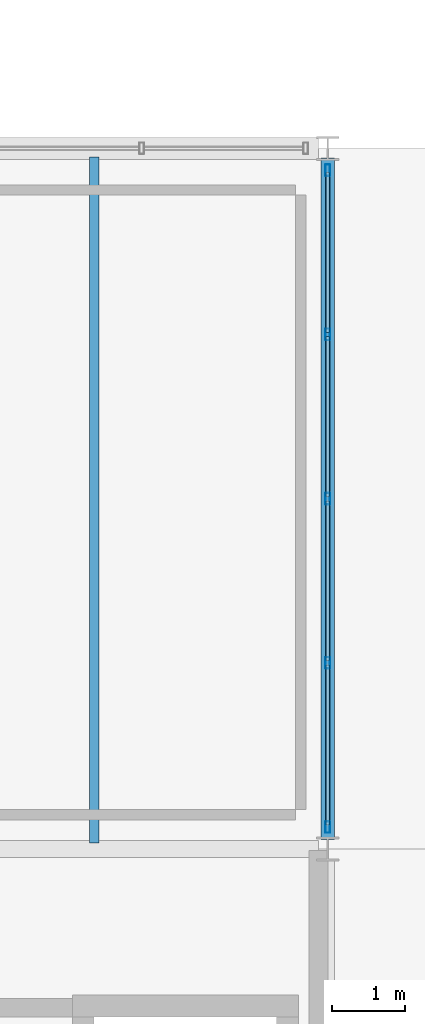
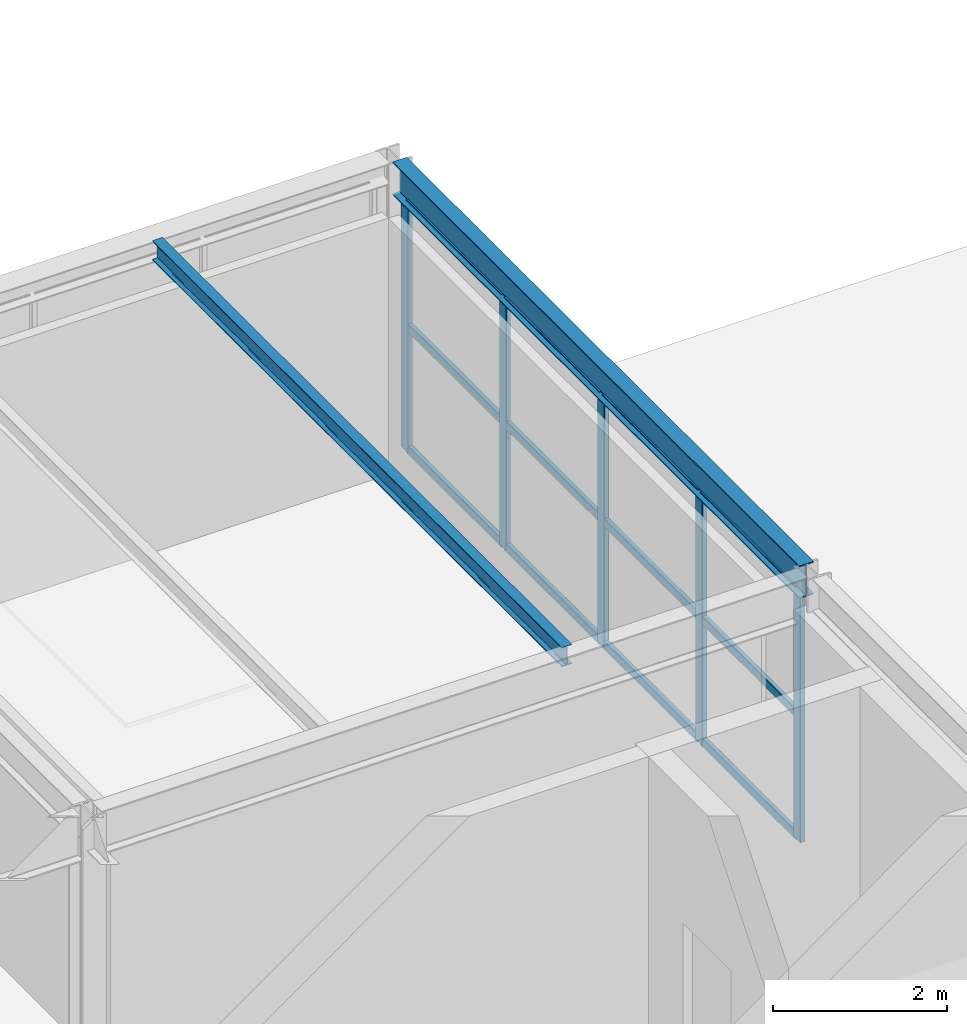
# One storey, part 30 of 50: 17 members, 2 beams, 1 element without a shape of its own.
"""IFC4 building model written with IfcOpenShell, lengths in metres."""

from ifc_helpers import new_model, si_unit, direction, frame, origin, origin_2d, place, context, subcontext, project, spatial, hollow_rectangle, i_section, extrude, material, material_profile, profile_set, type_object, element, aggregate, save


model = new_model("IFC4")

# Units and contexts
model_context = context("Model", 3, precision=1e-05, world=origin(), true_north=direction((0.0, 1.0)))
body_context = subcontext(model_context, "Body", "Model", "MODEL_VIEW")
ifc_project = project(units=[si_unit("LENGTHUNIT", "METRE"), si_unit("AREAUNIT", "SQUARE_METRE"), si_unit("VOLUMEUNIT", "CUBIC_METRE"), si_unit("PLANEANGLEUNIT", "RADIAN"), si_unit("MASSUNIT", "GRAM", prefix="KILO")], contexts=[model_context])

# Site, building, storey
site_placement = place(None, origin())
site = spatial("IfcSite", under=ifc_project, at=site_placement, CompositionType="ELEMENT")
building_placement = place(site_placement, origin())
building = spatial("IfcBuilding", under=site, at=building_placement, Name="Coralgate Yard Interchange", CompositionType="ELEMENT")
storey_placement = place(building_placement, frame((0.0, 0.0, 14.699951171875)))
storey = spatial("IfcBuildingStorey", under=building, at=storey_placement, Name="L03", CompositionType="ELEMENT", Elevation=14.699951171875)

# Beams
ifc_material_1 = material(Name="Structural steel S355J2", Category="steel")
ifc_material_profile_1 = material_profile(ifc_material_1, i_section(OverallWidth=0.1904296875, OverallDepth=0.45703125, WebThickness=0.009033203125, FlangeThickness=0.014404296875, FilletRadius=0.01025390625, at=origin_2d()), Name="UB 457x191x74")
ifc_profile_set_1 = profile_set([ifc_material_profile_1], Name="Structural steel S355J2")
beam_type_1 = type_object("IfcBeamType", Name="BM-SB-2", PredefinedType="BEAM", material=ifc_profile_set_1)
beam_1_placement = place(storey_placement, frame((19.199951171875, 38.533447265625, 3.721435546875), z_axis=(0.0, 1.0, 0.0), x_axis=(-1.0, 0.0, 0.0)))
element("IfcBeam", 1, at=beam_1_placement, inside=storey, type_object=beam_type_1, Name="L03 primary grid girder X2 Y4-5", PredefinedType="BEAM", context=body_context, shape_type="SweptSolid", body=[
    extrude(i_section(OverallWidth=0.1904296875, OverallDepth=0.45703125, WebThickness=0.009033203125, FlangeThickness=0.014404296875, FilletRadius=0.01025390625, at=origin_2d()), origin(), (0.0, 0.0, 1.0), 9.3330078125),
])
ifc_material_profile_2 = material_profile(ifc_material_1, i_section(OverallWidth=0.135009765625, OverallDepth=0.27001953125, WebThickness=0.006591796875, FlangeThickness=0.01025390625, FilletRadius=0.014892578125, at=origin_2d()), Name="IPE 270")
ifc_profile_set_2 = profile_set([ifc_material_profile_2], Name="Structural steel S355J2")
beam_type_2 = type_object("IfcBeamType", Name="BM-SJ-3", PredefinedType="JOIST", material=ifc_profile_set_2)
beam_2_placement = place(storey_placement, frame((16.0, 38.484130859375, 3.81494140625), z_axis=(0.0, 1.0, 0.0), x_axis=(-1.0, 0.0, 0.0)))
element("IfcBeam", 2, at=beam_2_placement, inside=storey, type_object=beam_type_2, Name="L03 composite floor joist 1-4-2", PredefinedType="JOIST", context=body_context, shape_type="SweptSolid", body=[
    extrude(i_section(OverallWidth=0.135009765625, OverallDepth=0.27001953125, WebThickness=0.006591796875, FlangeThickness=0.01025390625, FilletRadius=0.014892578125, at=origin_2d()), origin(), (0.0, 0.0, 1.0), 9.395751953125),
])

# Curtain wall, members
ifc_material_2 = material(Name="Anodised coastal aluminium and solar-control low-E glass", Category="aluminium")
curtain_wall_type = type_object("IfcCurtainWallType", Name="CW-CW-L03-A", PredefinedType="NOTDEFINED", material=ifc_material_2)
curtain_wall_placement = place(storey_placement, origin())
curtain_wall = element("IfcCurtainWall", 3, at=curtain_wall_placement, inside=storey, type_object=curtain_wall_type, Name="L03 unitised curtain wall CW-L03-E-01-04", PredefinedType="NOTDEFINED")
ifc_material_3 = material(Name="Anodised coastal aluminium 6063-T6", Category="aluminium")
ifc_material_profile_3 = material_profile(ifc_material_3, hollow_rectangle(XDim=0.06494140625, YDim=0.159912109375, WallThickness=0.00390625, InnerFilletRadius=0.00390625, OuterFilletRadius=0.008056640625, at=origin_2d()), Name="ALU 65x160x4")
ifc_profile_set_3 = profile_set([ifc_material_profile_3], Name="Anodised coastal aluminium 6063-T6")
member_type_1 = type_object("IfcMemberType", Name="MB-MUL-160", PredefinedType="MULLION", material=ifc_profile_set_3)
member_1_placement = place(storey_placement, frame((19.199951171875, 47.699951171875, 0.0), z_axis=(0.0, 0.0, 1.0), x_axis=(1.0, 0.0, 0.0)))
member_1 = element("IfcMember", 4, at=member_1_placement, type_object=member_type_1, Name="CW-L03-E-01-04 vertical mullion 1", PredefinedType="MULLION", context=body_context, shape_type="SweptSolid", body=[
    extrude(hollow_rectangle(XDim=0.06494140625, YDim=0.159912109375, WallThickness=0.00390625, InnerFilletRadius=0.00390625, OuterFilletRadius=0.008056640625, at=origin_2d()), origin(), (0.0, 0.0, 1.0), 3.4931640625),
])
member_2_placement = place(storey_placement, frame((19.199951171875, 45.449951171875, 0.0), z_axis=(0.0, 0.0, 1.0), x_axis=(1.0, 0.0, 0.0)))
member_2 = element("IfcMember", 5, at=member_2_placement, type_object=member_type_1, Name="CW-L03-E-01-04 vertical mullion 2", PredefinedType="MULLION", context=body_context, shape_type="SweptSolid", body=[
    extrude(hollow_rectangle(XDim=0.06494140625, YDim=0.159912109375, WallThickness=0.00390625, InnerFilletRadius=0.00390625, OuterFilletRadius=0.008056640625, at=origin_2d()), origin(), (0.0, 0.0, 1.0), 3.4931640625),
])
member_3_placement = place(storey_placement, frame((19.199951171875, 43.199951171875, 0.0), z_axis=(0.0, 0.0, 1.0), x_axis=(1.0, 0.0, 0.0)))
member_3 = element("IfcMember", 6, at=member_3_placement, type_object=member_type_1, Name="CW-L03-E-01-04 vertical mullion 3", PredefinedType="MULLION", context=body_context, shape_type="SweptSolid", body=[
    extrude(hollow_rectangle(XDim=0.06494140625, YDim=0.159912109375, WallThickness=0.00390625, InnerFilletRadius=0.00390625, OuterFilletRadius=0.008056640625, at=origin_2d()), origin(), (0.0, 0.0, 1.0), 3.4931640625),
])
member_4_placement = place(storey_placement, frame((19.199951171875, 40.949951171875, 0.0), z_axis=(0.0, 0.0, 1.0), x_axis=(1.0, 0.0, 0.0)))
member_4 = element("IfcMember", 7, at=member_4_placement, type_object=member_type_1, Name="CW-L03-E-01-04 vertical mullion 4", PredefinedType="MULLION", context=body_context, shape_type="SweptSolid", body=[
    extrude(hollow_rectangle(XDim=0.06494140625, YDim=0.159912109375, WallThickness=0.00390625, InnerFilletRadius=0.00390625, OuterFilletRadius=0.008056640625, at=origin_2d()), origin(), (0.0, 0.0, 1.0), 3.4931640625),
])
member_5_placement = place(storey_placement, frame((19.199951171875, 38.699951171875, 0.0), z_axis=(0.0, 0.0, 1.0), x_axis=(1.0, 0.0, 0.0)))
member_5 = element("IfcMember", 8, at=member_5_placement, type_object=member_type_1, Name="CW-L03-E-01-04 vertical mullion 5", PredefinedType="MULLION", context=body_context, shape_type="SweptSolid", body=[
    extrude(hollow_rectangle(XDim=0.06494140625, YDim=0.159912109375, WallThickness=0.00390625, InnerFilletRadius=0.00390625, OuterFilletRadius=0.008056640625, at=origin_2d()), origin(), (0.0, 0.0, 1.0), 3.4931640625),
])
ifc_material_profile_4 = material_profile(ifc_material_3, hollow_rectangle(XDim=0.06005859375, YDim=0.1201171875, WallThickness=0.00341796875, InnerFilletRadius=0.00341796875, OuterFilletRadius=0.007080078125, at=origin_2d()), Name="ALU 60x120x3.5")
ifc_profile_set_4 = profile_set([ifc_material_profile_4], Name="Anodised coastal aluminium 6063-T6")
member_type_2 = type_object("IfcMemberType", Name="MB-TRN-120", PredefinedType="USERDEFINED", material=ifc_profile_set_4)
member_6_placement = place(storey_placement, frame((19.199951171875, 47.669921875, 0.03515625), z_axis=(0.0, -1.0, 0.0), x_axis=(1.0, 0.0, 0.0)))
member_6 = element("IfcMember", 9, at=member_6_placement, type_object=member_type_2, Name="CW-L03-E-01-04 horizontal transom 1-1", ObjectType="TRANSOM", PredefinedType="USERDEFINED", context=body_context, shape_type="SweptSolid", body=[
    extrude(hollow_rectangle(XDim=0.06005859375, YDim=0.1201171875, WallThickness=0.00341796875, InnerFilletRadius=0.00341796875, OuterFilletRadius=0.007080078125, at=origin_2d()), origin(), (0.0, 0.0, 1.0), 2.18994140625),
])
member_7_placement = place(storey_placement, frame((19.199951171875, 47.669921875, 1.74658203125), z_axis=(0.0, -1.0, 0.0), x_axis=(1.0, 0.0, 0.0)))
member_7 = element("IfcMember", 10, at=member_7_placement, type_object=member_type_2, Name="CW-L03-E-01-04 horizontal transom 1-2", ObjectType="TRANSOM", PredefinedType="USERDEFINED", context=body_context, shape_type="SweptSolid", body=[
    extrude(hollow_rectangle(XDim=0.06005859375, YDim=0.1201171875, WallThickness=0.00341796875, InnerFilletRadius=0.00341796875, OuterFilletRadius=0.007080078125, at=origin_2d()), origin(), (0.0, 0.0, 1.0), 2.18994140625),
])
member_8_placement = place(storey_placement, frame((19.199951171875, 47.669921875, 3.4580078125), z_axis=(0.0, -1.0, 0.0), x_axis=(1.0, 0.0, 0.0)))
member_8 = element("IfcMember", 11, at=member_8_placement, type_object=member_type_2, Name="CW-L03-E-01-04 horizontal transom 1-3", ObjectType="TRANSOM", PredefinedType="USERDEFINED", context=body_context, shape_type="SweptSolid", body=[
    extrude(hollow_rectangle(XDim=0.06005859375, YDim=0.1201171875, WallThickness=0.00341796875, InnerFilletRadius=0.00341796875, OuterFilletRadius=0.007080078125, at=origin_2d()), origin(), (0.0, 0.0, 1.0), 2.18994140625),
])
member_9_placement = place(storey_placement, frame((19.199951171875, 45.419921875, 0.03515625), z_axis=(0.0, -1.0, 0.0), x_axis=(1.0, 0.0, 0.0)))
member_9 = element("IfcMember", 12, at=member_9_placement, type_object=member_type_2, Name="CW-L03-E-01-04 horizontal transom 2-1", ObjectType="TRANSOM", PredefinedType="USERDEFINED", context=body_context, shape_type="SweptSolid", body=[
    extrude(hollow_rectangle(XDim=0.06005859375, YDim=0.1201171875, WallThickness=0.00341796875, InnerFilletRadius=0.00341796875, OuterFilletRadius=0.007080078125, at=origin_2d()), origin(), (0.0, 0.0, 1.0), 2.18994140625),
])
member_10_placement = place(storey_placement, frame((19.199951171875, 45.419921875, 1.74658203125), z_axis=(0.0, -1.0, 0.0), x_axis=(1.0, 0.0, 0.0)))
member_10 = element("IfcMember", 13, at=member_10_placement, type_object=member_type_2, Name="CW-L03-E-01-04 horizontal transom 2-2", ObjectType="TRANSOM", PredefinedType="USERDEFINED", context=body_context, shape_type="SweptSolid", body=[
    extrude(hollow_rectangle(XDim=0.06005859375, YDim=0.1201171875, WallThickness=0.00341796875, InnerFilletRadius=0.00341796875, OuterFilletRadius=0.007080078125, at=origin_2d()), origin(), (0.0, 0.0, 1.0), 2.18994140625),
])
member_11_placement = place(storey_placement, frame((19.199951171875, 45.419921875, 3.4580078125), z_axis=(0.0, -1.0, 0.0), x_axis=(1.0, 0.0, 0.0)))
member_11 = element("IfcMember", 14, at=member_11_placement, type_object=member_type_2, Name="CW-L03-E-01-04 horizontal transom 2-3", ObjectType="TRANSOM", PredefinedType="USERDEFINED", context=body_context, shape_type="SweptSolid", body=[
    extrude(hollow_rectangle(XDim=0.06005859375, YDim=0.1201171875, WallThickness=0.00341796875, InnerFilletRadius=0.00341796875, OuterFilletRadius=0.007080078125, at=origin_2d()), origin(), (0.0, 0.0, 1.0), 2.18994140625),
])
member_12_placement = place(storey_placement, frame((19.199951171875, 43.169921875, 0.03515625), z_axis=(0.0, -1.0, 0.0), x_axis=(1.0, 0.0, 0.0)))
member_12 = element("IfcMember", 15, at=member_12_placement, type_object=member_type_2, Name="CW-L03-E-01-04 horizontal transom 3-1", ObjectType="TRANSOM", PredefinedType="USERDEFINED", context=body_context, shape_type="SweptSolid", body=[
    extrude(hollow_rectangle(XDim=0.06005859375, YDim=0.1201171875, WallThickness=0.00341796875, InnerFilletRadius=0.00341796875, OuterFilletRadius=0.007080078125, at=origin_2d()), origin(), (0.0, 0.0, 1.0), 2.18994140625),
])
member_13_placement = place(storey_placement, frame((19.199951171875, 43.169921875, 1.74658203125), z_axis=(0.0, -1.0, 0.0), x_axis=(1.0, 0.0, 0.0)))
member_13 = element("IfcMember", 16, at=member_13_placement, type_object=member_type_2, Name="CW-L03-E-01-04 horizontal transom 3-2", ObjectType="TRANSOM", PredefinedType="USERDEFINED", context=body_context, shape_type="SweptSolid", body=[
    extrude(hollow_rectangle(XDim=0.06005859375, YDim=0.1201171875, WallThickness=0.00341796875, InnerFilletRadius=0.00341796875, OuterFilletRadius=0.007080078125, at=origin_2d()), origin(), (0.0, 0.0, 1.0), 2.18994140625),
])
member_14_placement = place(storey_placement, frame((19.199951171875, 43.169921875, 3.4580078125), z_axis=(0.0, -1.0, 0.0), x_axis=(1.0, 0.0, 0.0)))
member_14 = element("IfcMember", 17, at=member_14_placement, type_object=member_type_2, Name="CW-L03-E-01-04 horizontal transom 3-3", ObjectType="TRANSOM", PredefinedType="USERDEFINED", context=body_context, shape_type="SweptSolid", body=[
    extrude(hollow_rectangle(XDim=0.06005859375, YDim=0.1201171875, WallThickness=0.00341796875, InnerFilletRadius=0.00341796875, OuterFilletRadius=0.007080078125, at=origin_2d()), origin(), (0.0, 0.0, 1.0), 2.18994140625),
])
member_15_placement = place(storey_placement, frame((19.199951171875, 40.919921875, 0.03515625), z_axis=(0.0, -1.0, 0.0), x_axis=(1.0, 0.0, 0.0)))
member_15 = element("IfcMember", 18, at=member_15_placement, type_object=member_type_2, Name="CW-L03-E-01-04 horizontal transom 4-1", ObjectType="TRANSOM", PredefinedType="USERDEFINED", context=body_context, shape_type="SweptSolid", body=[
    extrude(hollow_rectangle(XDim=0.06005859375, YDim=0.1201171875, WallThickness=0.00341796875, InnerFilletRadius=0.00341796875, OuterFilletRadius=0.007080078125, at=origin_2d()), origin(), (0.0, 0.0, 1.0), 2.18994140625),
])
member_16_placement = place(storey_placement, frame((19.199951171875, 40.919921875, 1.74658203125), z_axis=(0.0, -1.0, 0.0), x_axis=(1.0, 0.0, 0.0)))
member_16 = element("IfcMember", 19, at=member_16_placement, type_object=member_type_2, Name="CW-L03-E-01-04 horizontal transom 4-2", ObjectType="TRANSOM", PredefinedType="USERDEFINED", context=body_context, shape_type="SweptSolid", body=[
    extrude(hollow_rectangle(XDim=0.06005859375, YDim=0.1201171875, WallThickness=0.00341796875, InnerFilletRadius=0.00341796875, OuterFilletRadius=0.007080078125, at=origin_2d()), origin(), (0.0, 0.0, 1.0), 2.18994140625),
])
member_17_placement = place(storey_placement, frame((19.199951171875, 40.919921875, 3.4580078125), z_axis=(0.0, -1.0, 0.0), x_axis=(1.0, 0.0, 0.0)))
member_17 = element("IfcMember", 20, at=member_17_placement, type_object=member_type_2, Name="CW-L03-E-01-04 horizontal transom 4-3", ObjectType="TRANSOM", PredefinedType="USERDEFINED", context=body_context, shape_type="SweptSolid", body=[
    extrude(hollow_rectangle(XDim=0.06005859375, YDim=0.1201171875, WallThickness=0.00341796875, InnerFilletRadius=0.00341796875, OuterFilletRadius=0.007080078125, at=origin_2d()), origin(), (0.0, 0.0, 1.0), 2.18994140625),
])
aggregate(curtain_wall, [member_1, member_2, member_3, member_4, member_5, member_6, member_7, member_8, member_9, member_10, member_11, member_12, member_13, member_14, member_15, member_16, member_17])

save(model, "model.ifc")
